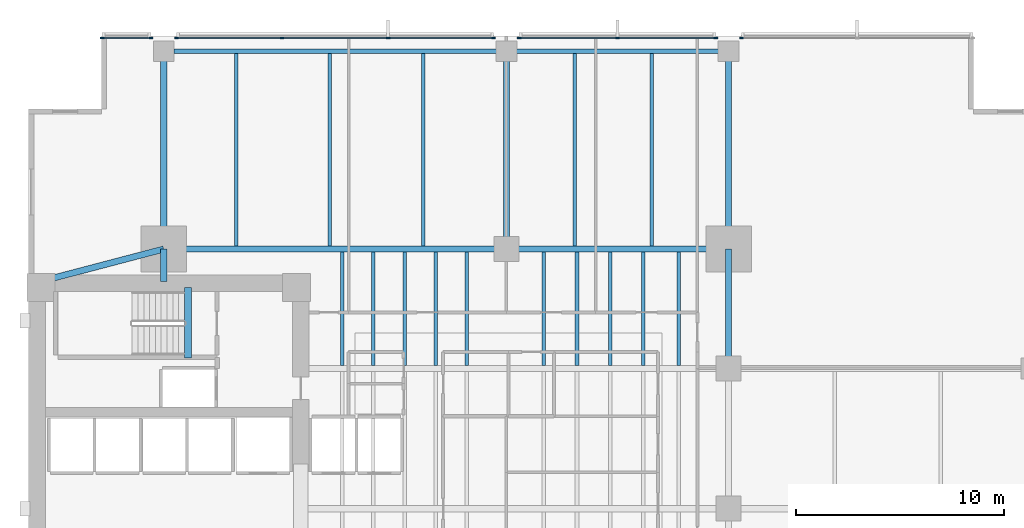
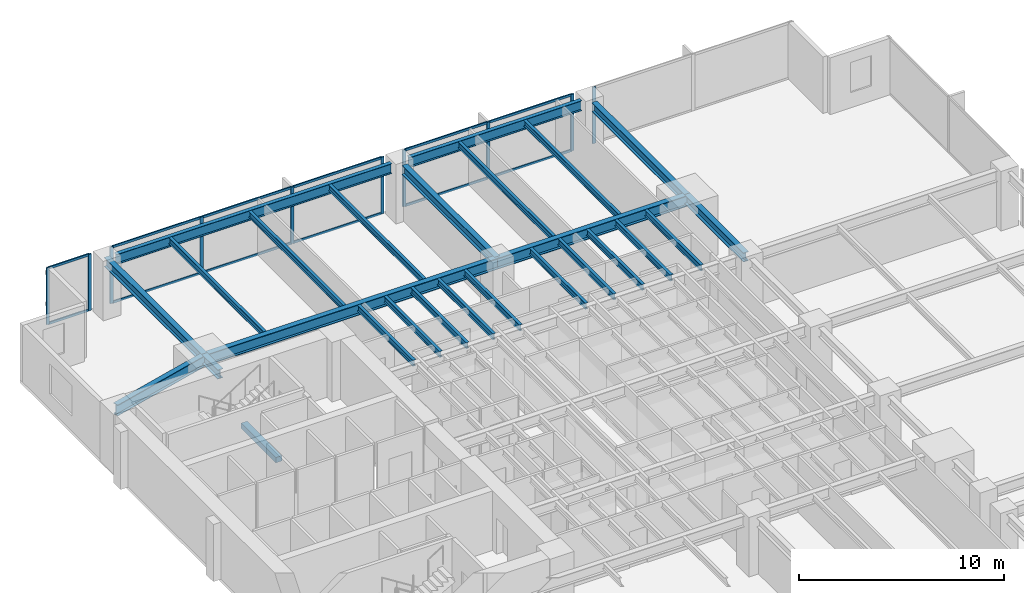
# One storey, part 5 of 15: 26 beams, 22 members, 4 elements without a shape of their own.
"""IFC4 building model written with IfcOpenShell, lengths in metres."""

from ifc_helpers import new_model, si_unit, direction, frame, origin, origin_2d, place, context, subcontext, project, spatial, rectangle, i_section, extrude, material, layer, layer_set, material_profile, profile_set, type_object, element, aggregate, save


model = new_model("IFC4")

# Units and contexts
model_context = context("Model", 3, precision=1e-05, world=origin(), true_north=direction((0.0, 1.0)))
body_context = subcontext(model_context, "Body", "Model", "MODEL_VIEW")
ifc_project = project(units=[si_unit("LENGTHUNIT", "METRE"), si_unit("AREAUNIT", "SQUARE_METRE"), si_unit("VOLUMEUNIT", "CUBIC_METRE"), si_unit("PLANEANGLEUNIT", "RADIAN"), si_unit("MASSUNIT", "GRAM", prefix="KILO")], contexts=[model_context])

# Site, building, storey
site_placement = place(None, origin())
site = spatial("IfcSite", under=ifc_project, at=site_placement, CompositionType="ELEMENT")
building_placement = place(site_placement, origin())
building = spatial("IfcBuilding", under=site, at=building_placement, Name="Kinhvarn Gate Tower", CompositionType="ELEMENT")
storey_placement = place(building_placement, frame((0.0, 0.0, 71.75)))
storey = spatial("IfcBuildingStorey", under=building, at=storey_placement, Name="L18", CompositionType="ELEMENT", Elevation=71.75)

# Beam
ifc_material_1 = material(Name="Concrete C50/60", Category="concrete")
ifc_material_profile_1 = material_profile(ifc_material_1, rectangle(XDim=0.340087890625, YDim=0.320068359375, at=origin_2d()), Name="RC 340x320")
ifc_profile_set_1 = profile_set([ifc_material_profile_1], Name="Concrete C50/60")
beam_type_1 = type_object("IfcBeamType", Name="BM-LND-500", PredefinedType="BEAM", material=ifc_profile_set_1)
beam_1_placement = place(storey_placement, frame((12.1650390625, 32.5, -0.159912109375), z_axis=(0.0, 1.0, 0.0), x_axis=(-1.0, 0.0, 0.0)))
element("IfcBeam", 1, at=beam_1_placement, inside=storey, type_object=beam_type_1, Name="Stair ST2 Landing Nosing Beam (L18)", PredefinedType="BEAM", context=body_context, shape_type="SweptSolid", body=[
    extrude(rectangle(XDim=0.340087890625, YDim=0.320068359375, at=origin_2d()), origin(), (0.0, 0.0, 1.0), 3.39990234375),
])

# Curtain wall, member
ifc_material_2 = material(Name="Anodised aluminium AW-6063", Category="aluminium")
ifc_layer = layer(ifc_material_2, 0.179931640625)
ifc_layer_set = layer_set([ifc_layer], Name="Anodised aluminium AW-6063")
curtain_wall_type = type_object("IfcCurtainWallType", Name="CW-SYS-2", PredefinedType="NOTDEFINED", material=ifc_layer_set)
curtain_wall_1_placement = place(storey_placement, origin())
curtain_wall_1 = element("IfcCurtainWall", 2, at=curtain_wall_1_placement, inside=storey, type_object=curtain_wall_type, Name="Curtain Wall CW2 (L18)", PredefinedType="NOTDEFINED")
ifc_material_profile_2 = material_profile(ifc_material_2, rectangle(XDim=0.070068359375, YDim=0.179931640625, at=origin_2d()), Name="ALU 70x180")
ifc_profile_set_2 = profile_set([ifc_material_profile_2], Name="Anodised aluminium AW-6063")
member_type_1 = type_object("IfcMemberType", Name="CW-MUL-180", PredefinedType="MULLION", material=ifc_profile_set_2)
member_1_placement = place(storey_placement, frame((38.81494140625, 47.909912109375, 0.0), z_axis=(0.0, 0.0, 1.0), x_axis=(0.0, -1.0, 0.0)))
member_1 = element("IfcMember", 3, at=member_1_placement, type_object=member_type_1, Name="CW2 mullion 3", PredefinedType="MULLION", context=body_context, shape_type="SweptSolid", body=[
    extrude(rectangle(XDim=0.070068359375, YDim=0.179931640625, at=origin_2d()), origin(), (0.0, 0.0, 1.0), 3.3701171875),
])
aggregate(curtain_wall_1, [member_1])

# Curtain wall, members
curtain_wall_2_placement = place(storey_placement, origin())
curtain_wall_2 = element("IfcCurtainWall", 4, at=curtain_wall_2_placement, inside=storey, type_object=curtain_wall_type, Name="Curtain Wall CW2 (L18)", PredefinedType="NOTDEFINED")
member_2_placement = place(storey_placement, frame((37.5849609375, 47.909912109375, 0.0), z_axis=(0.0, 0.0, 1.0), x_axis=(0.0, -1.0, 0.0)))
member_2 = element("IfcMember", 5, at=member_2_placement, type_object=member_type_1, Name="CW2 mullion 1", PredefinedType="MULLION", context=body_context, shape_type="SweptSolid", body=[
    extrude(rectangle(XDim=0.070068359375, YDim=0.179931640625, at=origin_2d()), origin(), (0.0, 0.0, 1.0), 3.3701171875),
])
member_3_placement = place(storey_placement, frame((32.85009765625, 47.909912109375, 0.0), z_axis=(0.0, 0.0, 1.0), x_axis=(0.0, -1.0, 0.0)))
member_3 = element("IfcMember", 6, at=member_3_placement, type_object=member_type_1, Name="CW2 mullion 2", PredefinedType="MULLION", context=body_context, shape_type="SweptSolid", body=[
    extrude(rectangle(XDim=0.070068359375, YDim=0.179931640625, at=origin_2d()), origin(), (0.0, 0.0, 1.0), 3.3701171875),
])
member_4_placement = place(storey_placement, frame((28.114990234375, 47.909912109375, 0.0), z_axis=(0.0, 0.0, 1.0), x_axis=(0.0, -1.0, 0.0)))
member_4 = element("IfcMember", 7, at=member_4_placement, type_object=member_type_1, Name="CW2 mullion 3", PredefinedType="MULLION", context=body_context, shape_type="SweptSolid", body=[
    extrude(rectangle(XDim=0.070068359375, YDim=0.179931640625, at=origin_2d()), origin(), (0.0, 0.0, 1.0), 3.3701171875),
])

curtain_wall_3_placement = place(storey_placement, origin())
curtain_wall_3 = element("IfcCurtainWall", 8, at=curtain_wall_3_placement, inside=storey, type_object=curtain_wall_type, Name="Curtain Wall CW2 (L18)", PredefinedType="NOTDEFINED")
member_5_placement = place(storey_placement, frame((26.885009765625, 47.909912109375, 0.0), z_axis=(0.0, 0.0, 1.0), x_axis=(0.0, -1.0, 0.0)))
member_5 = element("IfcMember", 9, at=member_5_placement, type_object=member_type_1, Name="CW2 mullion 1", PredefinedType="MULLION", context=body_context, shape_type="SweptSolid", body=[
    extrude(rectangle(XDim=0.070068359375, YDim=0.179931640625, at=origin_2d()), origin(), (0.0, 0.0, 1.0), 3.3701171875),
])
member_6_placement = place(storey_placement, frame((21.806640625, 47.909912109375, 0.0), z_axis=(0.0, 0.0, 1.0), x_axis=(0.0, -1.0, 0.0)))
member_6 = element("IfcMember", 10, at=member_6_placement, type_object=member_type_1, Name="CW2 mullion 2", PredefinedType="MULLION", context=body_context, shape_type="SweptSolid", body=[
    extrude(rectangle(XDim=0.070068359375, YDim=0.179931640625, at=origin_2d()), origin(), (0.0, 0.0, 1.0), 3.3701171875),
])
member_7_placement = place(storey_placement, frame((16.693359375, 47.909912109375, 0.0), z_axis=(0.0, 0.0, 1.0), x_axis=(0.0, -1.0, 0.0)))
member_7 = element("IfcMember", 11, at=member_7_placement, type_object=member_type_1, Name="CW2 mullion 3", PredefinedType="MULLION", context=body_context, shape_type="SweptSolid", body=[
    extrude(rectangle(XDim=0.070068359375, YDim=0.179931640625, at=origin_2d()), origin(), (0.0, 0.0, 1.0), 3.3701171875),
])
member_8_placement = place(storey_placement, frame((11.614990234375, 47.909912109375, 0.0), z_axis=(0.0, 0.0, 1.0), x_axis=(0.0, -1.0, 0.0)))
member_8 = element("IfcMember", 12, at=member_8_placement, type_object=member_type_1, Name="CW2 mullion 4", PredefinedType="MULLION", context=body_context, shape_type="SweptSolid", body=[
    extrude(rectangle(XDim=0.070068359375, YDim=0.179931640625, at=origin_2d()), origin(), (0.0, 0.0, 1.0), 3.3701171875),
])

curtain_wall_4_placement = place(storey_placement, origin())
curtain_wall_4 = element("IfcCurtainWall", 13, at=curtain_wall_4_placement, inside=storey, type_object=curtain_wall_type, Name="Curtain Wall CW2 (L18)", PredefinedType="NOTDEFINED")
member_9_placement = place(storey_placement, frame((10.385009765625, 47.909912109375, 0.0), z_axis=(0.0, 0.0, 1.0), x_axis=(0.0, -1.0, 0.0)))
member_9 = element("IfcMember", 14, at=member_9_placement, type_object=member_type_1, Name="CW2 mullion 1", PredefinedType="MULLION", context=body_context, shape_type="SweptSolid", body=[
    extrude(rectangle(XDim=0.070068359375, YDim=0.179931640625, at=origin_2d()), origin(), (0.0, 0.0, 1.0), 3.3701171875),
])
member_10_placement = place(storey_placement, frame((8.034912109375, 47.909912109375, 0.0), z_axis=(0.0, 0.0, 1.0), x_axis=(0.0, -1.0, 0.0)))
member_10 = element("IfcMember", 15, at=member_10_placement, type_object=member_type_1, Name="CW2 mullion 2", PredefinedType="MULLION", context=body_context, shape_type="SweptSolid", body=[
    extrude(rectangle(XDim=0.070068359375, YDim=0.179931640625, at=origin_2d()), origin(), (0.0, 0.0, 1.0), 3.3701171875),
])

# Member
ifc_material_profile_3 = material_profile(ifc_material_2, rectangle(XDim=0.070068359375, YDim=0.139892578125, at=origin_2d()), Name="ALU 70x140")
ifc_profile_set_3 = profile_set([ifc_material_profile_3], Name="Anodised aluminium AW-6063")
member_type_2 = type_object("IfcMemberType", Name="CW-TRN-140", PredefinedType="USERDEFINED", material=ifc_profile_set_3)
member_11_placement = place(storey_placement, frame((37.550048828125, 47.909912109375, 0.034912109375), z_axis=(-1.0, 0.0, 0.0), x_axis=(0.0, -1.0, 0.0)))
member_11 = element("IfcMember", 16, at=member_11_placement, type_object=member_type_2, Name="CW2 transom 1.1", ObjectType="TRANSOM", PredefinedType="USERDEFINED", context=body_context, shape_type="SweptSolid", body=[
    extrude(rectangle(XDim=0.070068359375, YDim=0.139892578125, at=origin_2d()), origin(), (0.0, 0.0, 1.0), 4.6650390625),
])

member_12_placement = place(storey_placement, frame((37.550048828125, 47.909912109375, 3.3349609375), z_axis=(-1.0, 0.0, 0.0), x_axis=(0.0, -1.0, 0.0)))
member_12 = element("IfcMember", 17, at=member_12_placement, type_object=member_type_2, Name="CW2 transom 1.2", ObjectType="TRANSOM", PredefinedType="USERDEFINED", context=body_context, shape_type="SweptSolid", body=[
    extrude(rectangle(XDim=0.070068359375, YDim=0.139892578125, at=origin_2d()), origin(), (0.0, 0.0, 1.0), 4.6650390625),
])

member_13_placement = place(storey_placement, frame((32.81494140625, 47.909912109375, 0.034912109375), z_axis=(-1.0, 0.0, 0.0), x_axis=(0.0, -1.0, 0.0)))
member_13 = element("IfcMember", 18, at=member_13_placement, type_object=member_type_2, Name="CW2 transom 2.1", ObjectType="TRANSOM", PredefinedType="USERDEFINED", context=body_context, shape_type="SweptSolid", body=[
    extrude(rectangle(XDim=0.070068359375, YDim=0.139892578125, at=origin_2d()), origin(), (0.0, 0.0, 1.0), 4.6650390625),
])

member_14_placement = place(storey_placement, frame((32.81494140625, 47.909912109375, 3.3349609375), z_axis=(-1.0, 0.0, 0.0), x_axis=(0.0, -1.0, 0.0)))
member_14 = element("IfcMember", 19, at=member_14_placement, type_object=member_type_2, Name="CW2 transom 2.2", ObjectType="TRANSOM", PredefinedType="USERDEFINED", context=body_context, shape_type="SweptSolid", body=[
    extrude(rectangle(XDim=0.070068359375, YDim=0.139892578125, at=origin_2d()), origin(), (0.0, 0.0, 1.0), 4.6650390625),
])

aggregate(curtain_wall_2, [member_2, member_3, member_4, member_11, member_12, member_13, member_14])

member_15_placement = place(storey_placement, frame((26.85009765625, 47.909912109375, 0.034912109375), z_axis=(-1.0, 0.0, 0.0), x_axis=(0.0, -1.0, 0.0)))
member_15 = element("IfcMember", 20, at=member_15_placement, type_object=member_type_2, Name="CW2 transom 1.1", ObjectType="TRANSOM", PredefinedType="USERDEFINED", context=body_context, shape_type="SweptSolid", body=[
    extrude(rectangle(XDim=0.070068359375, YDim=0.139892578125, at=origin_2d()), origin(), (0.0, 0.0, 1.0), 5.008544921875),
])

member_16_placement = place(storey_placement, frame((26.85009765625, 47.909912109375, 3.3349609375), z_axis=(-1.0, 0.0, 0.0), x_axis=(0.0, -1.0, 0.0)))
member_16 = element("IfcMember", 21, at=member_16_placement, type_object=member_type_2, Name="CW2 transom 1.2", ObjectType="TRANSOM", PredefinedType="USERDEFINED", context=body_context, shape_type="SweptSolid", body=[
    extrude(rectangle(XDim=0.070068359375, YDim=0.139892578125, at=origin_2d()), origin(), (0.0, 0.0, 1.0), 5.008544921875),
])

member_17_placement = place(storey_placement, frame((21.771728515625, 47.909912109375, 0.034912109375), z_axis=(-1.0, 0.0, 0.0), x_axis=(0.0, -1.0, 0.0)))
member_17 = element("IfcMember", 22, at=member_17_placement, type_object=member_type_2, Name="CW2 transom 2.1", ObjectType="TRANSOM", PredefinedType="USERDEFINED", context=body_context, shape_type="SweptSolid", body=[
    extrude(rectangle(XDim=0.070068359375, YDim=0.139892578125, at=origin_2d()), origin(), (0.0, 0.0, 1.0), 5.04345703125),
])

member_18_placement = place(storey_placement, frame((21.771728515625, 47.909912109375, 3.3349609375), z_axis=(-1.0, 0.0, 0.0), x_axis=(0.0, -1.0, 0.0)))
member_18 = element("IfcMember", 23, at=member_18_placement, type_object=member_type_2, Name="CW2 transom 2.2", ObjectType="TRANSOM", PredefinedType="USERDEFINED", context=body_context, shape_type="SweptSolid", body=[
    extrude(rectangle(XDim=0.070068359375, YDim=0.139892578125, at=origin_2d()), origin(), (0.0, 0.0, 1.0), 5.04345703125),
])

member_19_placement = place(storey_placement, frame((16.658447265625, 47.909912109375, 0.034912109375), z_axis=(-1.0, 0.0, 0.0), x_axis=(0.0, -1.0, 0.0)))
member_19 = element("IfcMember", 24, at=member_19_placement, type_object=member_type_2, Name="CW2 transom 3.1", ObjectType="TRANSOM", PredefinedType="USERDEFINED", context=body_context, shape_type="SweptSolid", body=[
    extrude(rectangle(XDim=0.070068359375, YDim=0.139892578125, at=origin_2d()), origin(), (0.0, 0.0, 1.0), 5.008544921875),
])

member_20_placement = place(storey_placement, frame((16.658447265625, 47.909912109375, 3.3349609375), z_axis=(-1.0, 0.0, 0.0), x_axis=(0.0, -1.0, 0.0)))
member_20 = element("IfcMember", 25, at=member_20_placement, type_object=member_type_2, Name="CW2 transom 3.2", ObjectType="TRANSOM", PredefinedType="USERDEFINED", context=body_context, shape_type="SweptSolid", body=[
    extrude(rectangle(XDim=0.070068359375, YDim=0.139892578125, at=origin_2d()), origin(), (0.0, 0.0, 1.0), 5.008544921875),
])

aggregate(curtain_wall_3, [member_5, member_6, member_7, member_8, member_15, member_16, member_17, member_18, member_19, member_20])

member_21_placement = place(storey_placement, frame((10.35009765625, 47.909912109375, 0.034912109375), z_axis=(-1.0, 0.0, 0.0), x_axis=(0.0, -1.0, 0.0)))
member_21 = element("IfcMember", 26, at=member_21_placement, type_object=member_type_2, Name="CW2 transom 1.1", ObjectType="TRANSOM", PredefinedType="USERDEFINED", context=body_context, shape_type="SweptSolid", body=[
    extrude(rectangle(XDim=0.070068359375, YDim=0.139892578125, at=origin_2d()), origin(), (0.0, 0.0, 1.0), 2.280029296875),
])

member_22_placement = place(storey_placement, frame((10.35009765625, 47.909912109375, 3.3349609375), z_axis=(-1.0, 0.0, 0.0), x_axis=(0.0, -1.0, 0.0)))
member_22 = element("IfcMember", 27, at=member_22_placement, type_object=member_type_2, Name="CW2 transom 1.2", ObjectType="TRANSOM", PredefinedType="USERDEFINED", context=body_context, shape_type="SweptSolid", body=[
    extrude(rectangle(XDim=0.070068359375, YDim=0.139892578125, at=origin_2d()), origin(), (0.0, 0.0, 1.0), 2.280029296875),
])

aggregate(curtain_wall_4, [member_9, member_10, member_21, member_22])

# Beams
ifc_material_3 = material(Name="Steel S355", Category="steel")
ifc_material_profile_4 = material_profile(ifc_material_3, i_section(OverallWidth=0.300048828125, OverallDepth=0.550048828125, WebThickness=0.014892578125, FlangeThickness=0.029052734375, at=origin_2d()), Name="HEB 550")
ifc_profile_set_4 = profile_set([ifc_material_profile_4], Name="Steel S355")
beam_type_2 = type_object("IfcBeamType", Name="STL-HEB550", PredefinedType="BEAM", material=ifc_profile_set_4)
beam_2_placement = place(storey_placement, frame((11.0, 36.199951171875, 3.094970703125), z_axis=(0.0, 1.0, 0.0), x_axis=(-1.0, 0.0, 0.0)))
element("IfcBeam", 28, at=beam_2_placement, inside=storey, type_object=beam_type_2, Name="Floor Beam PG-15 (L18 MCW-CN)", PredefinedType="BEAM", context=body_context, shape_type="SweptSolid", body=[
    extrude(i_section(OverallWidth=0.300048828125, OverallDepth=0.550048828125, WebThickness=0.014892578125, FlangeThickness=0.029052734375, at=origin_2d()), origin(), (0.0, 0.0, 1.0), 1.550048828125),
])
beam_3_placement = place(storey_placement, frame((11.0, 37.75, 3.094970703125), z_axis=(0.0, 1.0, 0.0), x_axis=(-1.0, 0.0, 0.0)))
element("IfcBeam", 29, at=beam_3_placement, inside=storey, type_object=beam_type_2, Name="Floor Beam PG-15 (L18 MCW-N)", PredefinedType="BEAM", context=body_context, shape_type="SweptSolid", body=[
    extrude(i_section(OverallWidth=0.300048828125, OverallDepth=0.550048828125, WebThickness=0.014892578125, FlangeThickness=0.029052734375, at=origin_2d()), origin(), (0.0, 0.0, 1.0), 9.530029296875),
])
for number, where, z_axis, x_axis, name in (
    (30, (27.5, 37.75, 3.094970703125), (0.0, 1.0, 0.0), (-1.0, 0.0, 0.0), "Floor Beam PG-15 (L18 SP27-N-TIE)"),
    (31, (38.199951171875, 37.75, 3.094970703125), (0.0, 1.0, 0.0), (-1.0, 0.0, 0.0), "Floor Beam PG-15 (L18 MCE-N)"),
):
    element("IfcBeam", number, at=place(storey_placement, frame(where, z_axis=z_axis, x_axis=x_axis)), inside=storey, type_object=beam_type_2, Name=name, PredefinedType="BEAM", context=body_context, shape_type="SweptSolid", body=[
        extrude(i_section(OverallWidth=0.300048828125, OverallDepth=0.550048828125, WebThickness=0.014892578125, FlangeThickness=0.029052734375, at=origin_2d()), origin(), (0.0, 0.0, 1.0), 9.044921875),
    ])
beam_4_placement = place(storey_placement, frame((38.199951171875, 32.0, 3.094970703125), z_axis=(0.0, 1.0, 0.0), x_axis=(-1.0, 0.0, 0.0)))
element("IfcBeam", 32, at=beam_4_placement, inside=storey, type_object=beam_type_2, Name="Floor Beam PG-15 (L18 MG-E-32)", PredefinedType="BEAM", context=body_context, shape_type="SweptSolid", body=[
    extrude(i_section(OverallWidth=0.300048828125, OverallDepth=0.550048828125, WebThickness=0.014892578125, FlangeThickness=0.029052734375, at=origin_2d()), origin(), (0.0, 0.0, 1.0), 5.75),
])
ifc_material_profile_5 = material_profile(ifc_material_3, i_section(OverallWidth=0.300048828125, OverallDepth=0.64990234375, WebThickness=0.01611328125, FlangeThickness=0.031005859375, at=origin_2d()), Name="HEB 650")
ifc_profile_set_5 = profile_set([ifc_material_profile_5], Name="Steel S355")
beam_type_3 = type_object("IfcBeamType", Name="STL-HEB650", PredefinedType="BEAM", material=ifc_profile_set_5)
beam_5_placement = place(storey_placement, frame((11.0, 37.75, 3.044921875), z_axis=(1.0, 0.0, 0.0), x_axis=(0.0, 1.0, 0.0)))
element("IfcBeam", 33, at=beam_5_placement, inside=storey, type_object=beam_type_3, Name="Floor Beam PG-17 (L18 MG-N1)", PredefinedType="BEAM", context=body_context, shape_type="SweptSolid", body=[
    extrude(i_section(OverallWidth=0.300048828125, OverallDepth=0.64990234375, WebThickness=0.01611328125, FlangeThickness=0.031005859375, at=origin_2d()), origin(), (0.0, 0.0, 1.0), 16.5),
])
beam_6_placement = place(storey_placement, frame((27.5, 37.75, 3.044921875), z_axis=(1.0, 0.0, 0.0), x_axis=(0.0, 1.0, 0.0)))
element("IfcBeam", 34, at=beam_6_placement, inside=storey, type_object=beam_type_3, Name="Floor Beam PG-17 (L18 MG-N2)", PredefinedType="BEAM", context=body_context, shape_type="SweptSolid", body=[
    extrude(i_section(OverallWidth=0.300048828125, OverallDepth=0.64990234375, WebThickness=0.01611328125, FlangeThickness=0.031005859375, at=origin_2d()), origin(), (0.0, 0.0, 1.0), 10.699951171875),
])
beam_7_placement = place(storey_placement, frame((5.10009765625, 36.199951171875, 3.044921875), z_axis=(0.967177623957, 0.254101246979, 0.0), x_axis=(-0.254101246979, 0.967177623957, 0.0)))
element("IfcBeam", 35, at=beam_7_placement, inside=storey, type_object=beam_type_3, Name="Floor Beam PG-17 (L18 MG-NW-DIAG)", PredefinedType="BEAM", context=body_context, shape_type="SweptSolid", body=[
    extrude(i_section(OverallWidth=0.300048828125, OverallDepth=0.64990234375, WebThickness=0.01611328125, FlangeThickness=0.031005859375, at=origin_2d()), origin(), (0.0, 0.0, 1.0), 6.10009765625),
])
ifc_material_profile_6 = material_profile(ifc_material_3, i_section(OverallWidth=0.169921875, OverallDepth=0.360107421875, WebThickness=0.008056640625, FlangeThickness=0.0126953125, at=origin_2d()), Name="IPE 360")
ifc_profile_set_6 = profile_set([ifc_material_profile_6], Name="Steel S355")
beam_type_4 = type_object("IfcBeamType", Name="STL-IPE360", PredefinedType="JOIST", material=ifc_profile_set_6)
for number, where, z_axis, x_axis, name in (
    (36, (19.60009765625, 32.14990234375, 3.18994140625), (0.0, 1.0, 0.0), (-1.0, 0.0, 0.0), "Floor Joist SB-04 (L18 JC-X196-3)"),
    (37, (21.10009765625, 32.14990234375, 3.18994140625), (0.0, 1.0, 0.0), (-1.0, 0.0, 0.0), "Floor Joist SB-04 (L18 JC-X211-3)"),
    (38, (22.60009765625, 32.14990234375, 3.18994140625), (0.0, 1.0, 0.0), (-1.0, 0.0, 0.0), "Floor Joist SB-04 (L18 JC-X226-3)"),
    (39, (24.10009765625, 32.14990234375, 3.18994140625), (0.0, 1.0, 0.0), (-1.0, 0.0, 0.0), "Floor Joist SB-04 (L18 JC-X241-3)"),
    (40, (25.60009765625, 32.14990234375, 3.18994140625), (0.0, 1.0, 0.0), (-1.0, 0.0, 0.0), "Floor Joist SB-04 (L18 JC-X256-3)"),
    (41, (29.300048828125, 32.14990234375, 3.18994140625), (0.0, 1.0, 0.0), (-1.0, 0.0, 0.0), "Floor Joist SB-04 (L18 JC-X293-3)"),
    (42, (30.89990234375, 32.14990234375, 3.18994140625), (0.0, 1.0, 0.0), (-1.0, 0.0, 0.0), "Floor Joist SB-04 (L18 JC-X309-3)"),
    (43, (32.5, 32.14990234375, 3.18994140625), (0.0, 1.0, 0.0), (-1.0, 0.0, 0.0), "Floor Joist SB-04 (L18 JC-X325-3)"),
    (44, (34.10009765625, 32.14990234375, 3.18994140625), (0.0, 1.0, 0.0), (-1.0, 0.0, 0.0), "Floor Joist SB-04 (L18 JC-X341-3)"),
    (45, (35.800048828125, 32.14990234375, 3.18994140625), (0.0, 1.0, 0.0), (-1.0, 0.0, 0.0), "Floor Joist SB-04 (L18 JC-X358-3)"),
):
    element("IfcBeam", number, at=place(storey_placement, frame(where, z_axis=z_axis, x_axis=x_axis)), inside=storey, type_object=beam_type_4, Name=name, PredefinedType="JOIST", context=body_context, shape_type="SweptSolid", body=[
        extrude(i_section(OverallWidth=0.169921875, OverallDepth=0.360107421875, WebThickness=0.008056640625, FlangeThickness=0.0126953125, at=origin_2d()), origin(), (0.0, 0.0, 1.0), 5.4501953125),
    ])
for number, where, z_axis, x_axis, name in (
    (46, (14.5, 37.89990234375, 3.18994140625), (0.0, 1.0, 0.0), (-1.0, 0.0, 0.0), "Floor Joist SB-04 (L18 JN-X145)"),
    (47, (19.0, 37.89990234375, 3.18994140625), (0.0, 1.0, 0.0), (-1.0, 0.0, 0.0), "Floor Joist SB-04 (L18 JN-X190)"),
    (48, (23.5, 37.89990234375, 3.18994140625), (0.0, 1.0, 0.0), (-1.0, 0.0, 0.0), "Floor Joist SB-04 (L18 JN-X235)"),
    (49, (30.800048828125, 37.89990234375, 3.18994140625), (0.0, 1.0, 0.0), (-1.0, 0.0, 0.0), "Floor Joist SB-04 (L18 JN-X308)"),
    (50, (34.5, 37.89990234375, 3.18994140625), (0.0, 1.0, 0.0), (-1.0, 0.0, 0.0), "Floor Joist SB-04 (L18 JN-X345)"),
):
    element("IfcBeam", number, at=place(storey_placement, frame(where, z_axis=z_axis, x_axis=x_axis)), inside=storey, type_object=beam_type_4, Name=name, PredefinedType="JOIST", context=body_context, shape_type="SweptSolid", body=[
        extrude(i_section(OverallWidth=0.169921875, OverallDepth=0.360107421875, WebThickness=0.008056640625, FlangeThickness=0.0126953125, at=origin_2d()), origin(), (0.0, 0.0, 1.0), 9.27001953125),
    ])
ifc_material_profile_7 = material_profile(ifc_material_3, i_section(OverallWidth=0.219970703125, OverallDepth=0.60009765625, WebThickness=0.011962890625, FlangeThickness=0.01904296875, at=origin_2d()), Name="IPE 600")
ifc_profile_set_7 = profile_set([ifc_material_profile_7], Name="Steel S355")
beam_type_5 = type_object("IfcBeamType", Name="STL-IPE600", PredefinedType="SPANDREL", material=ifc_profile_set_7)
beam_8_placement = place(storey_placement, frame((11.485107421875, 47.280029296875, 3.070068359375), z_axis=(1.0, 0.0, 0.0), x_axis=(0.0, 1.0, 0.0)))
element("IfcBeam", 51, at=beam_8_placement, inside=storey, type_object=beam_type_5, Name="Floor Spandrel SB-09 (L18 SP-N1)", PredefinedType="SPANDREL", context=body_context, shape_type="SweptSolid", body=[
    extrude(i_section(OverallWidth=0.219970703125, OverallDepth=0.60009765625, WebThickness=0.011962890625, FlangeThickness=0.01904296875, at=origin_2d()), origin(), (0.0, 0.0, 1.0), 15.52978515625),
])
beam_9_placement = place(storey_placement, frame((27.985107421875, 47.280029296875, 3.070068359375), z_axis=(1.0, 0.0, 0.0), x_axis=(0.0, 1.0, 0.0)))
element("IfcBeam", 52, at=beam_9_placement, inside=storey, type_object=beam_type_5, Name="Floor Spandrel SB-09 (L18 SP-N2)", PredefinedType="SPANDREL", context=body_context, shape_type="SweptSolid", body=[
    extrude(i_section(OverallWidth=0.219970703125, OverallDepth=0.60009765625, WebThickness=0.011962890625, FlangeThickness=0.01904296875, at=origin_2d()), origin(), (0.0, 0.0, 1.0), 9.72998046875),
])

save(model, "model.ifc")
